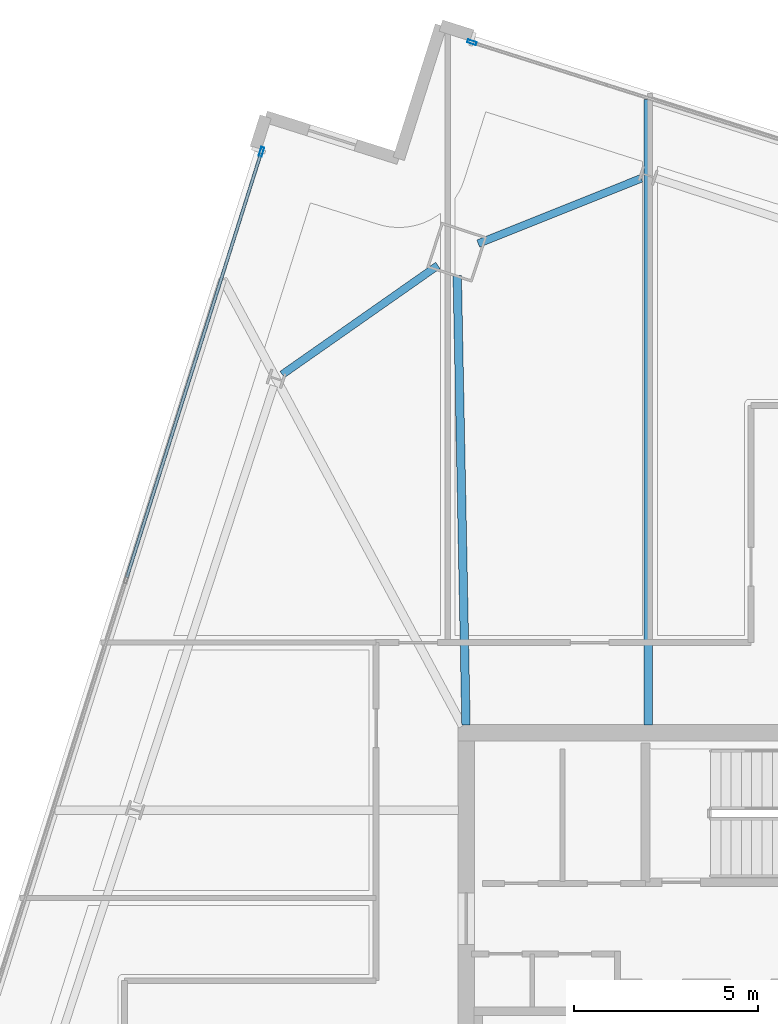
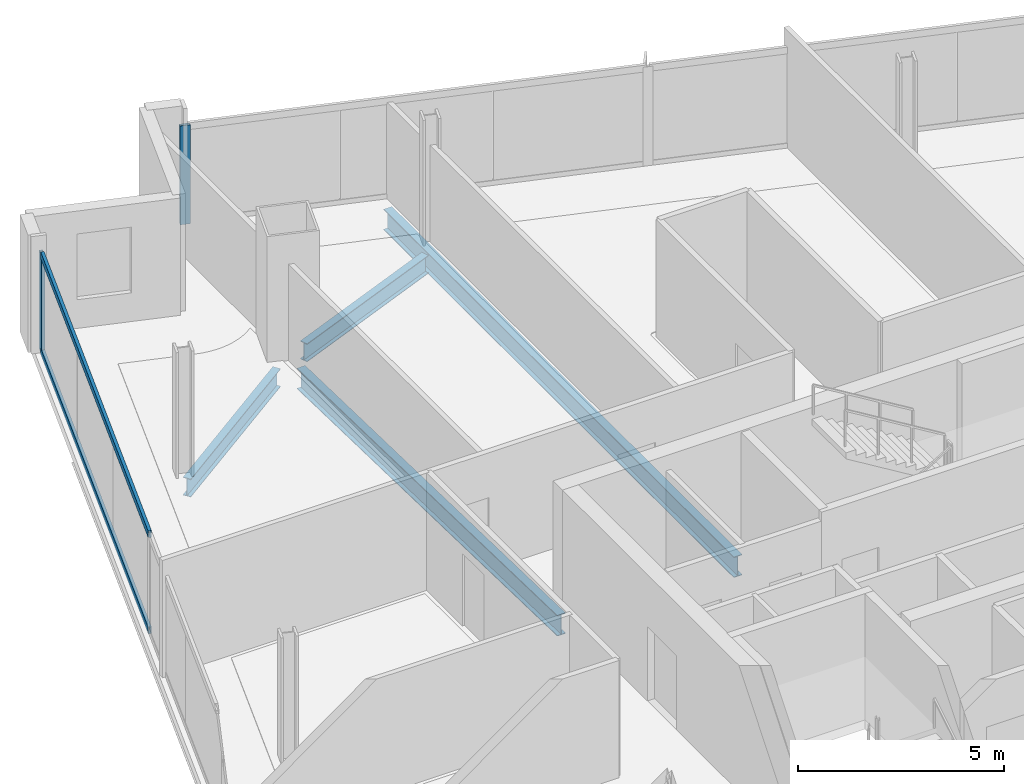
# One storey, part 12 of 26: 4 beams, 4 members, 2 elements without a shape of their own.
"""IFC4 building model written with IfcOpenShell, lengths in metres."""

from ifc_helpers import new_model, si_unit, direction, frame, origin, origin_2d, place, context, subcontext, project, spatial, hollow_rectangle, i_section, extrude, material, material_profile, profile_set, type_object, element, aggregate, save


model = new_model("IFC4")

# Units and contexts
model_context = context("Model", 3, precision=1e-05, world=origin(), true_north=direction((0.0, 1.0)))
body_context = subcontext(model_context, "Body", "Model", "MODEL_VIEW")
ifc_project = project(units=[si_unit("LENGTHUNIT", "METRE"), si_unit("AREAUNIT", "SQUARE_METRE"), si_unit("VOLUMEUNIT", "CUBIC_METRE"), si_unit("PLANEANGLEUNIT", "RADIAN"), si_unit("MASSUNIT", "GRAM", prefix="KILO")], contexts=[model_context])

# Site, building, storey
site_placement = place(None, origin())
site = spatial("IfcSite", under=ifc_project, at=site_placement, CompositionType="ELEMENT")
building_placement = place(site_placement, origin())
building = spatial("IfcBuilding", under=site, at=building_placement, Name="Haldenkirk Collegiate Tower", CompositionType="ELEMENT")
storey_placement = place(building_placement, frame((0.0, 0.0, 271.199951171875)))
storey = spatial("IfcBuildingStorey", under=building, at=storey_placement, Name="L68", CompositionType="ELEMENT", Elevation=271.199951171875)

# Beams
ifc_material_1 = material(Name="Steel ASTM A992 Grade 50", Category="steel")
ifc_material_profile_1 = material_profile(ifc_material_1, i_section(OverallWidth=0.22998046875, OverallDepth=0.616943359375, WebThickness=0.01318359375, FlangeThickness=0.022216796875, at=origin_2d()), Name="W24X94")
ifc_profile_set_1 = profile_set([ifc_material_profile_1], Name="Steel ASTM A992 Grade 50")
beam_type_1 = type_object("IfcBeamType", Name="BM-GIRDER-W24X94", PredefinedType="BEAM", material=ifc_profile_set_1)
beam_1_placement = place(storey_placement, frame((26.75732421875, 46.443603515625, -0.578369140625), z_axis=(0.019505953171, -0.999809740796, 0.0), x_axis=(0.999809740796, 0.019505953171, 0.0)))
element("IfcBeam", 1, at=beam_1_placement, inside=storey, type_object=beam_type_1, Name="L68 primary floor girder 03", PredefinedType="BEAM", context=body_context, shape_type="SweptSolid", body=[
    extrude(i_section(OverallWidth=0.22998046875, OverallDepth=0.616943359375, WebThickness=0.01318359375, FlangeThickness=0.022216796875, at=origin_2d()), origin(), (0.0, 0.0, 1.0), 12.240966796875),
])
beam_2_placement = place(storey_placement, frame((31.949462890625, 51.2255859375, -0.578369140625), z_axis=(0.0, -1.0, 0.0), x_axis=(1.0, 0.0, 0.0)))
element("IfcBeam", 2, at=beam_2_placement, inside=storey, type_object=beam_type_1, Name="L68 primary floor girder 10", PredefinedType="BEAM", context=body_context, shape_type="SweptSolid", body=[
    extrude(i_section(OverallWidth=0.22998046875, OverallDepth=0.616943359375, WebThickness=0.01318359375, FlangeThickness=0.022216796875, at=origin_2d()), origin(), (0.0, 0.0, 1.0), 17.0205078125),
])
ifc_material_profile_2 = material_profile(ifc_material_1, i_section(OverallWidth=0.2099609375, OverallDepth=0.537109375, WebThickness=0.010986328125, FlangeThickness=0.017333984375, at=origin_2d()), Name="W21X68")
ifc_profile_set_2 = profile_set([ifc_material_profile_2], Name="Steel ASTM A992 Grade 50")
beam_type_2 = type_object("IfcBeamType", Name="BM-SPANDREL-W21X68", PredefinedType="SPANDREL", material=ifc_profile_set_2)
beam_3_placement = place(storey_placement, frame((31.761474609375, 49.0830078125, -0.538330078125), z_axis=(-0.928296709602, -0.371840313768, 0.0), x_axis=(0.371840313768, -0.928296709602, 0.0)))
element("IfcBeam", 3, at=beam_3_placement, inside=storey, type_object=beam_type_2, Name="L68 perimeter spandrel beam 08", PredefinedType="SPANDREL", context=body_context, shape_type="SweptSolid", body=[
    extrude(i_section(OverallWidth=0.2099609375, OverallDepth=0.537109375, WebThickness=0.010986328125, FlangeThickness=0.017333984375, at=origin_2d()), origin(), (0.0, 0.0, 1.0), 4.77392578125),
])
beam_4_placement = place(storey_placement, frame((26.22900390625, 46.7119140625, -0.538330078125), z_axis=(-0.818927819185, -0.573896529842, 0.0), x_axis=(0.573896529842, -0.818927819185, 0.0)))
element("IfcBeam", 4, at=beam_4_placement, inside=storey, type_object=beam_type_2, Name="L68 perimeter spandrel beam 09", PredefinedType="SPANDREL", context=body_context, shape_type="SweptSolid", body=[
    extrude(i_section(OverallWidth=0.2099609375, OverallDepth=0.537109375, WebThickness=0.010986328125, FlangeThickness=0.017333984375, at=origin_2d()), origin(), (0.0, 0.0, 1.0), 5.169189453125),
])

# Curtain wall, member
ifc_material_2 = material(Name="Anodised architectural bronze aluminium", Category="aluminium")
curtain_wall_type = type_object("IfcCurtainWallType", Name="CW-SYS1B-CONVEX-HI", PredefinedType="USERDEFINED", material=ifc_material_2)
curtain_wall_1_placement = place(storey_placement, origin())
curtain_wall_1 = element("IfcCurtainWall", 5, at=curtain_wall_1_placement, inside=storey, type_object=curtain_wall_type, Name="L68 Upper tower high-wind convex bronze unitised curtain wall", ObjectType="UNITISED CURTAIN WALL", PredefinedType="USERDEFINED")
ifc_material_profile_3 = material_profile(ifc_material_2, hollow_rectangle(XDim=0.0849609375, YDim=0.25, WallThickness=0.0048828125, at=origin_2d()), Name="CW-MUL-1B")
ifc_profile_set_3 = profile_set([ifc_material_profile_3], Name="Anodised architectural bronze aluminium")
member_type_1 = type_object("IfcMemberType", Name="CW-MUL-1B", PredefinedType="MULLION", material=ifc_profile_set_3)
member_1_placement = place(storey_placement, frame((27.156982421875, 52.783203125, 0.0), z_axis=(0.0, 0.0, 1.0), x_axis=(0.301537400144, 0.95345434936, 0.0)))
member_1 = element("IfcMember", 6, at=member_1_placement, type_object=member_type_1, Name="CW-1B mullion 1", PredefinedType="MULLION", context=body_context, shape_type="SweptSolid", body=[
    extrude(hollow_rectangle(XDim=0.0849609375, YDim=0.25, WallThickness=0.0048828125, at=origin_2d()), origin(), (0.0, 0.0, 1.0), 2.93798828125),
])
aggregate(curtain_wall_1, [member_1])

# Curtain wall, members
curtain_wall_2_placement = place(storey_placement, origin())
curtain_wall_2 = element("IfcCurtainWall", 7, at=curtain_wall_2_placement, inside=storey, type_object=curtain_wall_type, Name="L68 Upper tower high-wind convex bronze unitised curtain wall", ObjectType="UNITISED CURTAIN WALL", PredefinedType="USERDEFINED")
member_2_placement = place(storey_placement, frame((21.43115234375, 49.808837890625, 0.0), z_axis=(0.0, 0.0, 1.0), x_axis=(-0.953454589166, 0.301536641884, 0.0)))
member_2 = element("IfcMember", 8, at=member_2_placement, type_object=member_type_1, Name="CW-1B mullion 4", PredefinedType="MULLION", context=body_context, shape_type="SweptSolid", body=[
    extrude(hollow_rectangle(XDim=0.0849609375, YDim=0.25, WallThickness=0.0048828125, at=origin_2d()), origin(), (0.0, 0.0, 1.0), 2.93798828125),
])
ifc_material_profile_4 = material_profile(ifc_material_2, hollow_rectangle(XDim=0.0849609375, YDim=0.199951171875, WallThickness=0.0048828125, at=origin_2d()), Name="CW-TRN-1B")
ifc_profile_set_4 = profile_set([ifc_material_profile_4], Name="Anodised architectural bronze aluminium")
member_type_2 = type_object("IfcMemberType", Name="CW-TRN-1B", PredefinedType="USERDEFINED", material=ifc_profile_set_4)
member_3_placement = place(storey_placement, frame((17.767822265625, 38.225830078125, 0.04248046875), z_axis=(0.301536712302, 0.953454566896, 0.0), x_axis=(-0.953454566896, 0.301536712302, 0.0)))
member_3 = element("IfcMember", 9, at=member_3_placement, type_object=member_type_2, Name="CW-1B transom 3.1", ObjectType="TRANSOM", PredefinedType="USERDEFINED", context=body_context, shape_type="SweptSolid", body=[
    extrude(hollow_rectangle(XDim=0.0849609375, YDim=0.199951171875, WallThickness=0.0048828125, at=origin_2d()), origin(), (0.0, 0.0, 1.0), 12.10595703125),
])
member_4_placement = place(storey_placement, frame((17.767822265625, 38.225830078125, 2.8955078125), z_axis=(0.301536712302, 0.953454566896, 0.0), x_axis=(-0.953454566896, 0.301536712302, 0.0)))
member_4 = element("IfcMember", 10, at=member_4_placement, type_object=member_type_2, Name="CW-1B transom 3.2", ObjectType="TRANSOM", PredefinedType="USERDEFINED", context=body_context, shape_type="SweptSolid", body=[
    extrude(hollow_rectangle(XDim=0.0849609375, YDim=0.199951171875, WallThickness=0.0048828125, at=origin_2d()), origin(), (0.0, 0.0, 1.0), 12.10595703125),
])
aggregate(curtain_wall_2, [member_2, member_3, member_4])

save(model, "model.ifc")
